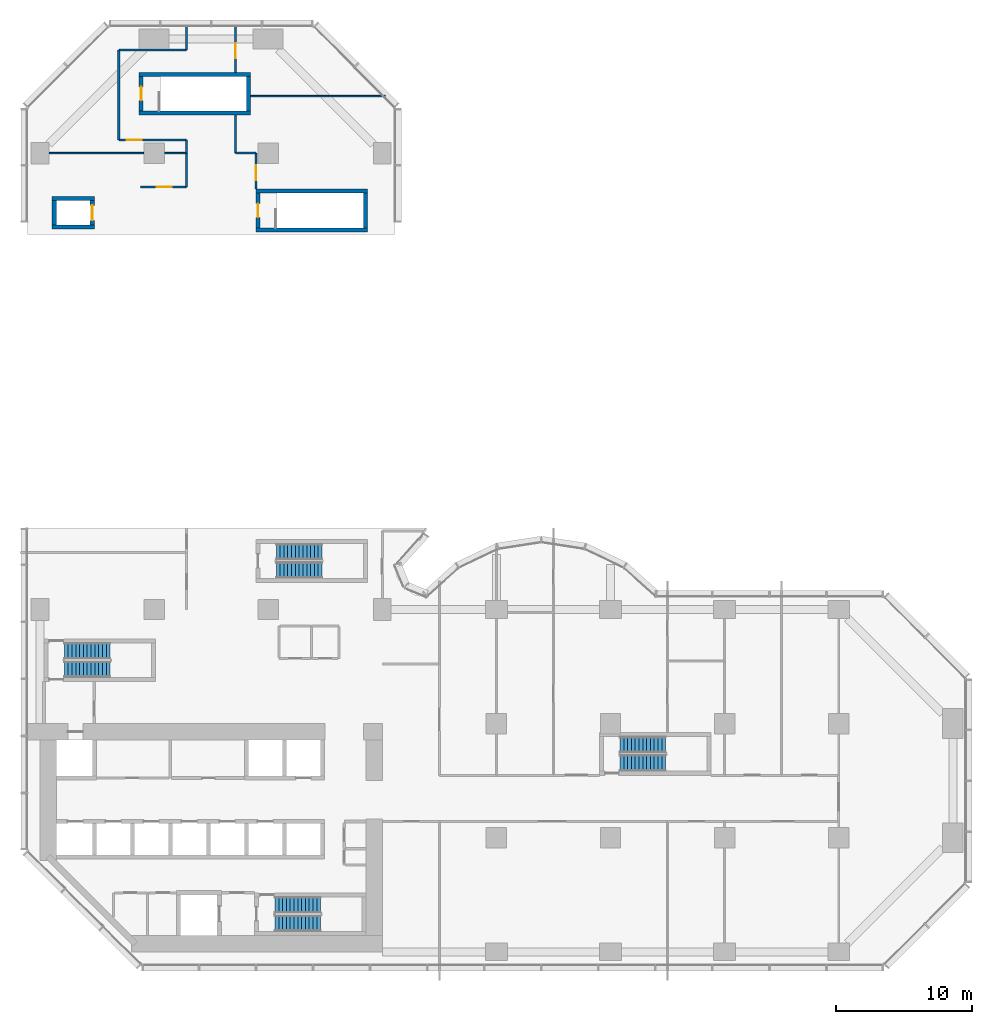
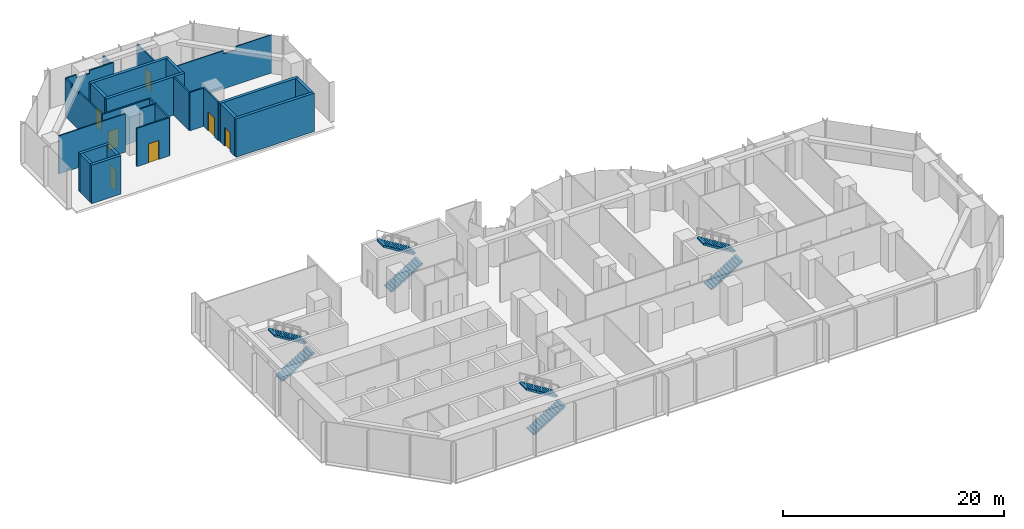
# One storey, part 10 of 13: 26 walls, 8 stair flights, 7 doors, 7 openings, 4 elements without a shape of their own.
"""IFC4 building model written with IfcOpenShell, lengths in metres."""

from ifc_helpers import new_model, si_unit, direction, frame, frame_2d, origin, place, context, subcontext, project, spatial, polyline, rectangle, outline, extrude, material, layer, layer_set, type_object, element, fill, aggregate, save


model = new_model("IFC4")

# Units and contexts
model_context = context("Model", 3, precision=1e-05, world=origin(), true_north=direction((0.0, 1.0)))
body_context = subcontext(model_context, "Body", "Model", "MODEL_VIEW")
ifc_project = project(units=[si_unit("LENGTHUNIT", "METRE"), si_unit("AREAUNIT", "SQUARE_METRE"), si_unit("VOLUMEUNIT", "CUBIC_METRE"), si_unit("PLANEANGLEUNIT", "RADIAN"), si_unit("MASSUNIT", "GRAM", prefix="KILO")], contexts=[model_context])

# Site, building, storey
site_placement = place(None, origin())
site = spatial("IfcSite", under=ifc_project, at=site_placement, CompositionType="ELEMENT")
building_placement = place(site_placement, origin())
building = spatial("IfcBuilding", under=site, at=building_placement, Name="Brevane Broadcast Tower", CompositionType="ELEMENT")
storey_placement = place(building_placement, frame((0.0, 0.0, 32.0)))
storey = spatial("IfcBuildingStorey", under=building, at=storey_placement, Name="L05", CompositionType="ELEMENT", Elevation=32.0)

# Walls
ifc_material_1 = material(Name="Concrete C80/95", Category="concrete")
ifc_layer_1 = layer(ifc_material_1, 0.300048828125)
ifc_layer_set_1 = layer_set([ifc_layer_1], Name="Core wall 300 mm C80/95")
wall_type_1 = type_object("IfcWallType", Name="Core wall 300 mm C80/95", PredefinedType="SHEAR", material=ifc_layer_set_1)
for number, where, z_axis, x_axis, name in (
    (1, (0.89990234375, 53.35009765625, 0.0), (0.0, 0.0, 1.0), (1.0, 0.0, 0.0), "L05 shaft wall PL1-S"),
    (2, (0.89990234375, 55.449951171875, 0.0), (0.0, 0.0, 1.0), (1.0, 0.0, 0.0), "L05 shaft wall PL1-N"),
):
    element("IfcWall", number, at=place(storey_placement, frame(where, z_axis=z_axis, x_axis=x_axis)), inside=storey, type_object=wall_type_1, Name=name, PredefinedType="SHEAR", context=body_context, shape_type="SweptSolid", body=[
        extrude(rectangle(XDim=3.10009765625, YDim=0.300048828125, at=frame_2d((1.550048828125, 0.0))), origin(), (0.0, 0.0, 1.0), 4.25),
    ])
wall_1_placement = place(storey_placement, frame((1.050048828125, 53.5, 0.0), z_axis=(0.0, 0.0, 1.0), x_axis=(0.0, 1.0, 0.0)))
element("IfcWall", 3, at=wall_1_placement, inside=storey, type_object=wall_type_1, Name="L05 shaft wall PL1-W", PredefinedType="SHEAR", context=body_context, shape_type="SweptSolid", body=[
    extrude(rectangle(XDim=1.800048828125, YDim=0.300048828125, at=frame_2d((0.89990234375, 0.0))), origin(), (0.0, 0.0, 1.0), 4.25),
])

# Wall, opening, door
wall_2_placement = place(storey_placement, frame((3.85009765625, 53.5, 0.0), z_axis=(0.0, 0.0, 1.0), x_axis=(0.0, 1.0, 0.0)))
wall_2 = element("IfcWall", 4, at=wall_2_placement, inside=storey, type_object=wall_type_1, Name="L05 shaft wall PL1-E", PredefinedType="SHEAR", context=body_context, shape_type="SweptSolid", body=[
    extrude(rectangle(XDim=1.800048828125, YDim=0.300048828125, at=frame_2d((0.89990234375, 0.0))), origin(), (0.0, 0.0, 1.0), 4.25),
])
opening_1_placement = place(wall_2_placement, frame((0.35009765625, 0.0, 0.0)))
opening_1 = element("IfcOpeningElement", 5, at=opening_1_placement, cuts=wall_2, Name="Opening LD", PredefinedType="OPENING", context=body_context, shape_type="SweptSolid", body=[
    extrude(rectangle(XDim=1.10009765625, YDim=2.300048828125, at=frame_2d((0.550048828125, 1.14990234375))), frame((0.0, 0.159912109375, 0.0), z_axis=(0.0, -1.0, 0.0), x_axis=(1.0, 0.0, 0.0)), (0.0, 0.0, 1.0), 0.320068359375),
])
ifc_material_2 = material(Name="Stainless steel", Category="steel")
door_type_1 = type_object("IfcDoorType", Name="Lift landing door", OperationType="SLIDING_TO_LEFT", PredefinedType="DOOR", material=ifc_material_2)
door_1_placement = place(opening_1_placement, origin())
door_1 = element("IfcDoor", 6, at=door_1_placement, inside=storey, type_object=door_type_1, Name="Landing door PL1 L05", OperationType="SLIDING_TO_LEFT", OverallHeight=2.300048828125, OverallWidth=1.10009765625, PredefinedType="DOOR", context=body_context, shape_type="SweptSolid", body=[
    extrude(rectangle(XDim=1.10009765625, YDim=2.300048828125, at=frame_2d((0.550048828125, 1.14990234375))), frame((0.0, 0.02490234375, 0.0), z_axis=(0.0, -1.0, 0.0), x_axis=(1.0, 0.0, 0.0)), (0.0, 0.0, 1.0), 0.050048828125),
])
fill(opening_1, door_1)

# Walls
for number, where, z_axis, x_axis, name in (
    (7, (15.89990234375, 53.14990234375, 0.0), (0.0, 0.0, 1.0), (1.0, 0.0, 0.0), "L05 stair wall ST-5-S"),
    (8, (15.89990234375, 56.0, 0.0), (0.0, 0.0, 1.0), (1.0, 0.0, 0.0), "L05 stair wall ST-5-N"),
):
    element("IfcWall", number, at=place(storey_placement, frame(where, z_axis=z_axis, x_axis=x_axis)), inside=storey, type_object=wall_type_1, Name=name, PredefinedType="SHEAR", context=body_context, shape_type="SweptSolid", body=[
        extrude(rectangle(XDim=8.2001953125, YDim=0.300048828125, at=frame_2d((4.10009765625, 0.0))), origin(), (0.0, 0.0, 1.0), 4.25),
    ])

# Wall, opening, door
wall_3_placement = place(storey_placement, frame((16.050048828125, 53.300048828125, 0.0), z_axis=(0.0, 0.0, 1.0), x_axis=(0.0, 1.0, 0.0)))
wall_3 = element("IfcWall", 9, at=wall_3_placement, inside=storey, type_object=wall_type_1, Name="L05 stair wall ST-5-W", PredefinedType="SHEAR", context=body_context, shape_type="SweptSolid", body=[
    extrude(rectangle(XDim=2.550048828125, YDim=0.300048828125, at=frame_2d((1.27490234375, 0.0))), origin(), (0.0, 0.0, 1.0), 4.25),
])
opening_2_placement = place(wall_3_placement, frame((0.77490234375, 0.0, 0.0)))
opening_2 = element("IfcOpeningElement", 10, at=opening_2_placement, cuts=wall_3, Name="Opening L05-K17", PredefinedType="OPENING", context=body_context, shape_type="SweptSolid", body=[
    extrude(rectangle(XDim=1.0, YDim=2.10009765625, at=frame_2d((0.5, 1.050048828125))), frame((0.0, 0.159912109375, 0.0), z_axis=(0.0, -1.0, 0.0), x_axis=(1.0, 0.0, 0.0)), (0.0, 0.0, 1.0), 0.320068359375),
])
ifc_material_3 = material(Name="Steel", Category="steel")
door_type_2 = type_object("IfcDoorType", Name="Stair door 1000 x 2100", OperationType="SINGLE_SWING_LEFT", PredefinedType="DOOR", material=ifc_material_3)
door_2_placement = place(opening_2_placement, origin())
door_2 = element("IfcDoor", 11, at=door_2_placement, inside=storey, type_object=door_type_2, Name="Door L05-K17", OperationType="SINGLE_SWING_RIGHT", OverallHeight=2.10009765625, OverallWidth=1.0, PredefinedType="DOOR", context=body_context, shape_type="SweptSolid", body=[
    extrude(rectangle(XDim=1.0, YDim=2.10009765625, at=frame_2d((0.5, 1.050048828125))), frame((0.0, 0.02490234375, 0.0), z_axis=(0.0, -1.0, 0.0), x_axis=(1.0, 0.0, 0.0)), (0.0, 0.0, 1.0), 0.050048828125),
])
fill(opening_2, door_2)

# Walls
wall_4_placement = place(storey_placement, frame((23.949951171875, 53.300048828125, 0.0), z_axis=(0.0, 0.0, 1.0), x_axis=(0.0, 1.0, 0.0)))
element("IfcWall", 12, at=wall_4_placement, inside=storey, type_object=wall_type_1, Name="L05 stair wall ST-5-E", PredefinedType="SHEAR", context=body_context, shape_type="SweptSolid", body=[
    extrude(rectangle(XDim=2.550048828125, YDim=0.300048828125, at=frame_2d((1.27490234375, 0.0))), origin(), (0.0, 0.0, 1.0), 4.25),
])
for number, where, z_axis, x_axis, name in (
    (13, (7.300048828125, 61.75, 0.0), (0.0, 0.0, 1.0), (1.0, 0.0, 0.0), "L05 stair wall ST-6-S"),
    (14, (7.300048828125, 64.60009765625, 0.0), (0.0, 0.0, 1.0), (1.0, 0.0, 0.0), "L05 stair wall ST-6-N"),
):
    element("IfcWall", number, at=place(storey_placement, frame(where, z_axis=z_axis, x_axis=x_axis)), inside=storey, type_object=wall_type_1, Name=name, PredefinedType="SHEAR", context=body_context, shape_type="SweptSolid", body=[
        extrude(rectangle(XDim=8.199951171875, YDim=0.300048828125, at=frame_2d((4.10009765625, 0.0))), origin(), (0.0, 0.0, 1.0), 4.25),
    ])

# Wall, opening, door
wall_5_placement = place(storey_placement, frame((7.449951171875, 61.89990234375, 0.0), z_axis=(0.0, 0.0, 1.0), x_axis=(0.0, 1.0, 0.0)))
wall_5 = element("IfcWall", 15, at=wall_5_placement, inside=storey, type_object=wall_type_1, Name="L05 stair wall ST-6-W", PredefinedType="SHEAR", context=body_context, shape_type="SweptSolid", body=[
    extrude(rectangle(XDim=2.550048828125, YDim=0.300048828125, at=frame_2d((1.27490234375, 0.0))), origin(), (0.0, 0.0, 1.0), 4.25),
])
opening_3_placement = place(wall_5_placement, frame((0.77490234375, 0.0, 0.0)))
opening_3 = element("IfcOpeningElement", 16, at=opening_3_placement, cuts=wall_5, Name="Opening L05-K18", PredefinedType="OPENING", context=body_context, shape_type="SweptSolid", body=[
    extrude(rectangle(XDim=1.0, YDim=2.10009765625, at=frame_2d((0.5, 1.050048828125))), frame((0.0, 0.159912109375, 0.0), z_axis=(0.0, -1.0, 0.0), x_axis=(1.0, 0.0, 0.0)), (0.0, 0.0, 1.0), 0.320068359375),
])
door_3_placement = place(opening_3_placement, origin())
door_3 = element("IfcDoor", 17, at=door_3_placement, inside=storey, type_object=door_type_2, Name="Door L05-K18", OperationType="SINGLE_SWING_LEFT", OverallHeight=2.10009765625, OverallWidth=1.0, PredefinedType="DOOR", context=body_context, shape_type="SweptSolid", body=[
    extrude(rectangle(XDim=1.0, YDim=2.10009765625, at=frame_2d((0.5, 1.050048828125))), frame((0.0, 0.02490234375, 0.0), z_axis=(0.0, -1.0, 0.0), x_axis=(1.0, 0.0, 0.0)), (0.0, 0.0, 1.0), 0.050048828125),
])
fill(opening_3, door_3)

# Walls
wall_6_placement = place(storey_placement, frame((15.35009765625, 61.89990234375, 0.0), z_axis=(0.0, 0.0, 1.0), x_axis=(0.0, 1.0, 0.0)))
element("IfcWall", 18, at=wall_6_placement, inside=storey, type_object=wall_type_1, Name="L05 stair wall ST-6-E", PredefinedType="SHEAR", context=body_context, shape_type="SweptSolid", body=[
    extrude(rectangle(XDim=2.550048828125, YDim=0.300048828125, at=frame_2d((1.27490234375, 0.0))), origin(), (0.0, 0.0, 1.0), 4.25),
])
ifc_material_4 = material(Name="Gypsum board partition")
ifc_layer_2 = layer(ifc_material_4, 0.10009765625)
ifc_layer_set_2 = layer_set([ifc_layer_2], Name="PARTITION 100 STUD")
wall_type_2 = type_object("IfcWallType", Name="PARTITION 100 STUD", PredefinedType="PARTITIONING", material=ifc_layer_set_2)
wall_7_placement = place(storey_placement, frame((0.669921875, 58.800048828125, 0.0), z_axis=(0.0, 0.0, 1.0), x_axis=(1.0, 0.0, 0.0)))
element("IfcWall", 19, at=wall_7_placement, inside=storey, type_object=wall_type_2, Name="Partition P5-051", PredefinedType="PARTITIONING", context=body_context, shape_type="SweptSolid", body=[
    extrude(rectangle(XDim=6.9599609375, YDim=0.10009765625, at=frame_2d((3.47998046875, 0.0))), origin(), (0.0, 0.0, 1.0), 4.22998046875),
])
wall_8_placement = place(storey_placement, frame((9.169921875, 58.800048828125, 0.0), z_axis=(0.0, 0.0, 1.0), x_axis=(1.0, 0.0, 0.0)))
element("IfcWall", 20, at=wall_8_placement, inside=storey, type_object=wall_type_2, Name="Partition P5-052", PredefinedType="PARTITIONING", context=body_context, shape_type="SweptSolid", body=[
    extrude(rectangle(XDim=1.630126953125, YDim=0.10009765625, at=frame_2d((0.81494140625, 0.0))), origin(), (0.0, 0.0, 1.0), 4.22998046875),
])
wall_9_placement = place(storey_placement, frame((15.5, 63.0, 0.0), z_axis=(0.0, 0.0, 1.0), x_axis=(1.0, 0.0, 0.0)))
element("IfcWall", 21, at=wall_9_placement, inside=storey, type_object=wall_type_2, Name="Partition P5-054", PredefinedType="PARTITIONING", context=body_context, shape_type="SweptSolid", body=[
    extrude(outline(polyline([(0.0, 0.0), (9.89990234375, 0.0), (9.89990234375, 4.22998046875), (6.165771484375, 4.22998046875), (6.16357421875, 3.8798828125), (4.83642578125, 3.8798828125), (4.834228515625, 4.22998046875), (0.0, 4.22998046875), (0.0, 0.0)])), frame((0.0, 0.050048828125, 0.0), z_axis=(0.0, -1.0, 0.0), x_axis=(1.0, 0.0, 0.0)), (0.0, 0.0, 1.0), 0.10009765625),
])
ifc_layer_3 = layer(ifc_material_4, 0.14990234375)
ifc_layer_set_3 = layer_set([ifc_layer_3], Name="PARTITION 150 EI 60")
wall_type_3 = type_object("IfcWallType", Name="PARTITION 150 EI 60", PredefinedType="PARTITIONING", material=ifc_layer_set_3)
wall_10_placement = place(storey_placement, frame((10.800048828125, 56.300048828125, 0.0), z_axis=(0.0, 0.0, 1.0), x_axis=(0.0, 1.0, 0.0)))
element("IfcWall", 22, at=wall_10_placement, inside=storey, type_object=wall_type_3, Name="Partition P5-041", PredefinedType="PARTITIONING", context=body_context, shape_type="SweptSolid", body=[
    extrude(rectangle(XDim=2.5, YDim=0.14990234375, at=frame_2d((1.25, 0.0))), origin(), (0.0, 0.0, 1.0), 4.22998046875),
])
wall_11_placement = place(storey_placement, frame((14.39990234375, 58.800048828125, 0.0), z_axis=(0.0, 0.0, 1.0), x_axis=(1.0, 0.0, 0.0)))
element("IfcWall", 23, at=wall_11_placement, inside=storey, type_object=wall_type_3, Name="Partition P5-042", PredefinedType="PARTITIONING", context=body_context, shape_type="SweptSolid", body=[
    extrude(rectangle(XDim=1.5, YDim=0.14990234375, at=frame_2d((0.75, 0.0))), origin(), (0.0, 0.0, 1.0), 4.22998046875),
])

# Wall, opening, door
wall_12_placement = place(storey_placement, frame((15.89990234375, 58.800048828125, 0.0), z_axis=(0.0, 0.0, 1.0), x_axis=(0.0, -1.0, 0.0)))
wall_12 = element("IfcWall", 24, at=wall_12_placement, inside=storey, type_object=wall_type_3, Name="Partition P5-043", PredefinedType="PARTITIONING", context=body_context, shape_type="SweptSolid", body=[
    extrude(rectangle(XDim=2.650146484375, YDim=0.14990234375, at=frame_2d((1.3251953125, 0.0))), origin(), (0.0, 0.0, 1.0), 4.22998046875),
])
opening_4_placement = place(wall_12_placement, frame((0.89990234375, 0.0, 0.0)))
opening_4 = element("IfcOpeningElement", 25, at=opening_4_placement, cuts=wall_12, Name="Opening D06-019", PredefinedType="OPENING", context=body_context, shape_type="SweptSolid", body=[
    extrude(rectangle(XDim=1.10009765625, YDim=2.10009765625, at=frame_2d((0.550048828125, 1.050048828125))), frame((0.0, 0.0849609375, 0.0), z_axis=(0.0, -1.0, 0.0), x_axis=(1.0, 0.0, 0.0)), (0.0, 0.0, 1.0), 0.169921875),
])
ifc_material_5 = material(Name="Fire-rated timber door leaf", Category="wood")
door_type_3 = type_object("IfcDoorType", Name="DOOR SINGLE 1100 FD30S", OperationType="SINGLE_SWING_LEFT", PredefinedType="DOOR", material=ifc_material_5)
door_4_placement = place(opening_4_placement, origin())
door_4 = element("IfcDoor", 26, at=door_4_placement, inside=storey, type_object=door_type_3, Name="Door D06-019", OperationType="SINGLE_SWING_LEFT", OverallHeight=2.10009765625, OverallWidth=1.10009765625, PredefinedType="DOOR", context=body_context, shape_type="SweptSolid", body=[
    extrude(rectangle(XDim=1.10009765625, YDim=2.10009765625, at=frame_2d((0.550048828125, 1.050048828125))), frame((0.0, 0.02490234375, 0.0), z_axis=(0.0, -1.0, 0.0), x_axis=(1.0, 0.0, 0.0)), (0.0, 0.0, 1.0), 0.050048828125),
])
fill(opening_4, door_4)

wall_13_placement = place(storey_placement, frame((10.800048828125, 59.77490234375, 0.0), z_axis=(0.0, 0.0, 1.0), x_axis=(-1.0, 0.0, 0.0)))
wall_13 = element("IfcWall", 27, at=wall_13_placement, inside=storey, type_object=wall_type_3, Name="Partition P5-044", PredefinedType="PARTITIONING", context=body_context, shape_type="SweptSolid", body=[
    extrude(rectangle(XDim=5.0, YDim=0.14990234375, at=frame_2d((2.5, 0.0))), origin(), (0.0, 0.0, 1.0), 4.22998046875),
])
opening_5_placement = place(wall_13_placement, frame((3.300048828125, 0.0, 0.0)))
opening_5 = element("IfcOpeningElement", 28, at=opening_5_placement, cuts=wall_13, Name="Opening D06-018", PredefinedType="OPENING", context=body_context, shape_type="SweptSolid", body=[
    extrude(rectangle(XDim=1.10009765625, YDim=2.10009765625, at=frame_2d((0.550048828125, 1.050048828125))), frame((0.0, 0.0849609375, 0.0), z_axis=(0.0, -1.0, 0.0), x_axis=(1.0, 0.0, 0.0)), (0.0, 0.0, 1.0), 0.169921875),
])
door_5_placement = place(opening_5_placement, origin())
door_5 = element("IfcDoor", 29, at=door_5_placement, inside=storey, type_object=door_type_3, Name="Door D06-018", OperationType="SINGLE_SWING_LEFT", OverallHeight=2.10009765625, OverallWidth=1.10009765625, PredefinedType="DOOR", context=body_context, shape_type="SweptSolid", body=[
    extrude(rectangle(XDim=1.10009765625, YDim=2.10009765625, at=frame_2d((0.550048828125, 1.050048828125))), frame((0.0, 0.02490234375, 0.0), z_axis=(0.0, -1.0, 0.0), x_axis=(1.0, 0.0, 0.0)), (0.0, 0.0, 1.0), 0.050048828125),
])
fill(opening_5, door_5)

# Walls
wall_14_placement = place(storey_placement, frame((5.800048828125, 59.77490234375, 0.0), z_axis=(0.0, 0.0, 1.0), x_axis=(0.0, 1.0, 0.0)))
element("IfcWall", 30, at=wall_14_placement, inside=storey, type_object=wall_type_3, Name="Partition P5-045", PredefinedType="PARTITIONING", context=body_context, shape_type="SweptSolid", body=[
    extrude(outline(polyline([(0.0, 0.0), (6.60009765625, 0.0), (6.60009765625, 4.22998046875), (5.515625, 4.22998046875), (5.513671875, 3.8798828125), (4.13623046875, 3.8798828125), (4.13427734375, 4.22998046875), (0.0, 4.22998046875), (0.0, 0.0)])), frame((0.0, 0.074951171875, 0.0), z_axis=(0.0, -1.0, 0.0), x_axis=(1.0, 0.0, 0.0)), (0.0, 0.0, 1.0), 0.14990234375),
])
wall_15_placement = place(storey_placement, frame((5.800048828125, 66.375, 0.0), z_axis=(0.0, 0.0, 1.0), x_axis=(1.0, 0.0, 0.0)))
element("IfcWall", 31, at=wall_15_placement, inside=storey, type_object=wall_type_3, Name="Partition P5-046", PredefinedType="PARTITIONING", context=body_context, shape_type="SweptSolid", body=[
    extrude(outline(polyline([(0.0, 0.0), (5.0, 0.0), (5.0, 4.22998046875), (2.465576171875, 4.22998046875), (2.463623046875, 3.8798828125), (1.08642578125, 3.8798828125), (1.084228515625, 4.22998046875), (0.0, 4.22998046875), (0.0, 0.0)])), frame((0.0, 0.074951171875, 0.0), z_axis=(0.0, -1.0, 0.0), x_axis=(1.0, 0.0, 0.0)), (0.0, 0.0, 1.0), 0.14990234375),
])

# Wall, opening, door
wall_16_placement = place(storey_placement, frame((7.39990234375, 56.300048828125, 0.0), z_axis=(0.0, 0.0, 1.0), x_axis=(1.0, 0.0, 0.0)))
wall_16 = element("IfcWall", 32, at=wall_16_placement, inside=storey, type_object=wall_type_3, Name="Partition P5-047", PredefinedType="PARTITIONING", context=body_context, shape_type="SweptSolid", body=[
    extrude(rectangle(XDim=3.400146484375, YDim=0.14990234375, at=frame_2d((1.7001953125, 0.0))), origin(), (0.0, 0.0, 1.0), 4.22998046875),
])
opening_6_placement = place(wall_16_placement, frame((1.199951171875, 0.0, 0.0)))
opening_6 = element("IfcOpeningElement", 33, at=opening_6_placement, cuts=wall_16, Name="Opening D06-017", PredefinedType="OPENING", context=body_context, shape_type="SweptSolid", body=[
    extrude(rectangle(XDim=1.10009765625, YDim=2.10009765625, at=frame_2d((0.550048828125, 1.050048828125))), frame((0.0, 0.0849609375, 0.0), z_axis=(0.0, -1.0, 0.0), x_axis=(1.0, 0.0, 0.0)), (0.0, 0.0, 1.0), 0.169921875),
])
door_6_placement = place(opening_6_placement, origin())
door_6 = element("IfcDoor", 34, at=door_6_placement, inside=storey, type_object=door_type_3, Name="Door D06-017", OperationType="SINGLE_SWING_LEFT", OverallHeight=2.10009765625, OverallWidth=1.10009765625, PredefinedType="DOOR", context=body_context, shape_type="SweptSolid", body=[
    extrude(rectangle(XDim=1.10009765625, YDim=2.10009765625, at=frame_2d((0.550048828125, 1.050048828125))), frame((0.0, 0.02490234375, 0.0), z_axis=(0.0, -1.0, 0.0), x_axis=(1.0, 0.0, 0.0)), (0.0, 0.0, 1.0), 0.050048828125),
])
fill(opening_6, door_6)

# Wall
wall_17_placement = place(storey_placement, frame((10.800048828125, 66.375, 0.0), z_axis=(0.0, 0.0, 1.0), x_axis=(0.0, 1.0, 0.0)))
element("IfcWall", 35, at=wall_17_placement, inside=storey, type_object=wall_type_3, Name="Partition P5-048", PredefinedType="PARTITIONING", context=body_context, shape_type="SweptSolid", body=[
    extrude(rectangle(XDim=1.905029296875, YDim=0.14990234375, at=frame_2d((0.95263671875, 0.0))), origin(), (0.0, 0.0, 1.0), 3.8798828125),
])

# Wall, opening, door
wall_18_placement = place(storey_placement, frame((14.39990234375, 68.280029296875, 0.0), z_axis=(0.0, 0.0, 1.0), x_axis=(0.0, -1.0, 0.0)))
wall_18 = element("IfcWall", 36, at=wall_18_placement, inside=storey, type_object=wall_type_3, Name="Partition P5-049", PredefinedType="PARTITIONING", context=body_context, shape_type="SweptSolid", body=[
    extrude(rectangle(XDim=3.530029296875, YDim=0.14990234375, at=frame_2d((1.76513671875, 0.0))), origin(), (0.0, 0.0, 1.0), 3.8798828125),
])
opening_7_placement = place(wall_18_placement, frame((1.39990234375, 0.0, 0.0)))
opening_7 = element("IfcOpeningElement", 37, at=opening_7_placement, cuts=wall_18, Name="Opening D06-020", PredefinedType="OPENING", context=body_context, shape_type="SweptSolid", body=[
    extrude(rectangle(XDim=1.10009765625, YDim=2.10009765625, at=frame_2d((0.550048828125, 1.050048828125))), frame((0.0, 0.0849609375, 0.0), z_axis=(0.0, -1.0, 0.0), x_axis=(1.0, 0.0, 0.0)), (0.0, 0.0, 1.0), 0.169921875),
])
door_7_placement = place(opening_7_placement, origin())
door_7 = element("IfcDoor", 38, at=door_7_placement, inside=storey, type_object=door_type_3, Name="Door D06-020", OperationType="SINGLE_SWING_LEFT", OverallHeight=2.10009765625, OverallWidth=1.10009765625, PredefinedType="DOOR", context=body_context, shape_type="SweptSolid", body=[
    extrude(rectangle(XDim=1.10009765625, YDim=2.10009765625, at=frame_2d((0.550048828125, 1.050048828125))), frame((0.0, 0.02490234375, 0.0), z_axis=(0.0, -1.0, 0.0), x_axis=(1.0, 0.0, 0.0)), (0.0, 0.0, 1.0), 0.050048828125),
])
fill(opening_7, door_7)

# Walls
wall_19_placement = place(storey_placement, frame((10.800048828125, 59.77490234375, 0.0), z_axis=(0.0, 0.0, 1.0), x_axis=(0.0, -1.0, 0.0)))
element("IfcWall", 39, at=wall_19_placement, inside=storey, type_object=wall_type_3, Name="Partition P5-053", PredefinedType="PARTITIONING", context=body_context, shape_type="SweptSolid", body=[
    extrude(rectangle(XDim=0.974853515625, YDim=0.14990234375, at=frame_2d((0.4873046875, 0.0))), origin(), (0.0, 0.0, 1.0), 4.22998046875),
])
wall_20_placement = place(storey_placement, frame((14.39990234375, 58.800048828125, 0.0), z_axis=(0.0, 0.0, 1.0), x_axis=(0.0, 1.0, 0.0)))
element("IfcWall", 40, at=wall_20_placement, inside=storey, type_object=wall_type_3, Name="Partition P5-055", PredefinedType="PARTITIONING", context=body_context, shape_type="SweptSolid", body=[
    extrude(rectangle(XDim=2.800048828125, YDim=0.14990234375, at=frame_2d((1.39990234375, 0.0))), origin(), (0.0, 0.0, 1.0), 4.22998046875),
])

# Stair, stair flights
ifc_material_6 = material(Name="Concrete C50/60", Category="concrete")
stair_type = type_object("IfcStairType", Name="Exit stair 26 risers", PredefinedType="HALF_TURN_STAIR", material=ifc_material_6)
stair_1_placement = place(storey_placement, origin())
stair_1 = element("IfcStair", 41, at=stair_1_placement, inside=storey, type_object=stair_type, Name="L05 Exit stair ST-1", PredefinedType="HALF_TURN_STAIR")
stair_flight_type = type_object("IfcStairFlightType", Name="Exit stair flight 26 risers", PredefinedType="STRAIGHT", material=ifc_material_6)
stair_flight_1_placement = place(storey_placement, frame((1.800048828125, 20.800048828125, 0.0), z_axis=(0.0, 0.0, 1.0), x_axis=(1.0, 0.0, 0.0)))
stair_flight_1 = element("IfcStairFlight", 42, at=stair_flight_1_placement, type_object=stair_flight_type, Name="ST-1 flight 1", NumberOfRisers=13, NumberOfTreads=12, PredefinedType="STRAIGHT", RiserHeight=0.173076923, TreadLength=0.28, context=body_context, shape_type="SweptSolid", body=[
    extrude(outline(polyline([(0.0, 0.0), (0.0, 0.173095703125), (0.280029296875, 0.173095703125), (0.280029296875, 0.34619140625), (0.56005859375, 0.34619140625), (0.56005859375, 0.519287109375), (0.840087890625, 0.519287109375), (0.840087890625, 0.6923828125), (1.1201171875, 0.6923828125), (1.1201171875, 0.865478515625), (1.39990234375, 0.865478515625), (1.39990234375, 1.03857421875), (1.679931640625, 1.03857421875), (1.679931640625, 1.21142578125), (1.9599609375, 1.21142578125), (1.9599609375, 1.384521484375), (2.239990234375, 1.384521484375), (2.239990234375, 1.5576171875), (2.52001953125, 1.5576171875), (2.52001953125, 1.730712890625), (2.800048828125, 1.730712890625), (2.800048828125, 1.90380859375), (3.080078125, 1.90380859375), (3.080078125, 2.076904296875), (3.360107421875, 2.076904296875), (3.360107421875, 2.25), (3.360107421875, 1.900634765625), (0.28515625, 0.0), (0.0, 0.0)])), frame((0.0, 0.60009765625, 0.0), z_axis=(0.0, -1.0, 0.0), x_axis=(1.0, 0.0, 0.0)), (0.0, 0.0, 1.0), 1.199951171875),
])
stair_flight_2_placement = place(storey_placement, frame((5.159912109375, 22.14990234375, 2.25), z_axis=(0.0, 0.0, 1.0), x_axis=(-1.0, 0.0, 0.0)))
stair_flight_2 = element("IfcStairFlight", 43, at=stair_flight_2_placement, type_object=stair_flight_type, Name="ST-1 flight 2", NumberOfRisers=13, NumberOfTreads=12, PredefinedType="STRAIGHT", RiserHeight=0.173076923, TreadLength=0.28, context=body_context, shape_type="SweptSolid", body=[
    extrude(outline(polyline([(0.0, 0.0), (0.0, 0.173095703125), (0.280029296875, 0.173095703125), (0.280029296875, 0.34619140625), (0.56005859375, 0.34619140625), (0.56005859375, 0.519287109375), (0.840087890625, 0.519287109375), (0.840087890625, 0.6923828125), (1.1201171875, 0.6923828125), (1.1201171875, 0.865478515625), (1.39990234375, 0.865478515625), (1.39990234375, 1.03857421875), (1.679931640625, 1.03857421875), (1.679931640625, 1.21142578125), (1.9599609375, 1.21142578125), (1.9599609375, 1.384521484375), (2.239990234375, 1.384521484375), (2.239990234375, 1.5576171875), (2.52001953125, 1.5576171875), (2.52001953125, 1.730712890625), (2.800048828125, 1.730712890625), (2.800048828125, 1.90380859375), (3.080078125, 1.90380859375), (3.080078125, 2.076904296875), (3.360107421875, 2.076904296875), (3.360107421875, 2.25), (3.360107421875, 1.900634765625), (0.28515625, 0.0), (0.0, 0.0)])), frame((0.0, 0.60009765625, 0.0), z_axis=(0.0, -1.0, 0.0), x_axis=(1.0, 0.0, 0.0)), (0.0, 0.0, 1.0), 1.199951171875),
])
aggregate(stair_1, [stair_flight_1, stair_flight_2])

stair_2_placement = place(storey_placement, origin())
stair_2 = element("IfcStair", 44, at=stair_2_placement, inside=storey, type_object=stair_type, Name="L05 Exit stair ST-2", PredefinedType="HALF_TURN_STAIR")
stair_flight_3_placement = place(storey_placement, frame((17.300048828125, 2.10009765625, 0.0), z_axis=(0.0, 0.0, 1.0), x_axis=(1.0, 0.0, 0.0)))
stair_flight_3 = element("IfcStairFlight", 45, at=stair_flight_3_placement, type_object=stair_flight_type, Name="ST-2 flight 1", NumberOfRisers=13, NumberOfTreads=12, PredefinedType="STRAIGHT", RiserHeight=0.173076923, TreadLength=0.28, context=body_context, shape_type="SweptSolid", body=[
    extrude(outline(polyline([(0.0, 0.0), (0.0, 0.173095703125), (0.280029296875, 0.173095703125), (0.280029296875, 0.34619140625), (0.56005859375, 0.34619140625), (0.56005859375, 0.519287109375), (0.840087890625, 0.519287109375), (0.840087890625, 0.6923828125), (1.1201171875, 0.6923828125), (1.1201171875, 0.865478515625), (1.39990234375, 0.865478515625), (1.39990234375, 1.03857421875), (1.679931640625, 1.03857421875), (1.679931640625, 1.21142578125), (1.9599609375, 1.21142578125), (1.9599609375, 1.384521484375), (2.239990234375, 1.384521484375), (2.239990234375, 1.5576171875), (2.52001953125, 1.5576171875), (2.52001953125, 1.730712890625), (2.800048828125, 1.730712890625), (2.800048828125, 1.90380859375), (3.080078125, 1.90380859375), (3.080078125, 2.076904296875), (3.360107421875, 2.076904296875), (3.360107421875, 2.25), (3.360107421875, 1.900634765625), (0.28515625, 0.0), (0.0, 0.0)])), frame((0.0, 0.60009765625, 0.0), z_axis=(0.0, -1.0, 0.0), x_axis=(1.0, 0.0, 0.0)), (0.0, 0.0, 1.0), 1.199951171875),
])
stair_flight_4_placement = place(storey_placement, frame((20.659912109375, 3.449951171875, 2.25), z_axis=(0.0, 0.0, 1.0), x_axis=(-1.0, 0.0, 0.0)))
stair_flight_4 = element("IfcStairFlight", 46, at=stair_flight_4_placement, type_object=stair_flight_type, Name="ST-2 flight 2", NumberOfRisers=13, NumberOfTreads=12, PredefinedType="STRAIGHT", RiserHeight=0.173076923, TreadLength=0.28, context=body_context, shape_type="SweptSolid", body=[
    extrude(outline(polyline([(0.0, 0.0), (0.0, 0.173095703125), (0.280029296875, 0.173095703125), (0.280029296875, 0.34619140625), (0.56005859375, 0.34619140625), (0.56005859375, 0.519287109375), (0.840087890625, 0.519287109375), (0.840087890625, 0.6923828125), (1.1201171875, 0.6923828125), (1.1201171875, 0.865478515625), (1.39990234375, 0.865478515625), (1.39990234375, 1.03857421875), (1.679931640625, 1.03857421875), (1.679931640625, 1.21142578125), (1.9599609375, 1.21142578125), (1.9599609375, 1.384521484375), (2.239990234375, 1.384521484375), (2.239990234375, 1.5576171875), (2.52001953125, 1.5576171875), (2.52001953125, 1.730712890625), (2.800048828125, 1.730712890625), (2.800048828125, 1.90380859375), (3.080078125, 1.90380859375), (3.080078125, 2.076904296875), (3.360107421875, 2.076904296875), (3.360107421875, 2.25), (3.360107421875, 1.900634765625), (0.28515625, 0.0), (0.0, 0.0)])), frame((0.0, 0.60009765625, 0.0), z_axis=(0.0, -1.0, 0.0), x_axis=(1.0, 0.0, 0.0)), (0.0, 0.0, 1.0), 1.199951171875),
])
aggregate(stair_2, [stair_flight_3, stair_flight_4])

stair_3_placement = place(storey_placement, origin())
stair_3 = element("IfcStair", 47, at=stair_3_placement, inside=storey, type_object=stair_type, Name="L05 Exit stair ST-3", PredefinedType="HALF_TURN_STAIR")
stair_flight_5_placement = place(storey_placement, frame((17.39990234375, 28.10009765625, 0.0), z_axis=(0.0, 0.0, 1.0), x_axis=(1.0, 0.0, 0.0)))
stair_flight_5 = element("IfcStairFlight", 48, at=stair_flight_5_placement, type_object=stair_flight_type, Name="ST-3 flight 1", NumberOfRisers=13, NumberOfTreads=12, PredefinedType="STRAIGHT", RiserHeight=0.173076923, TreadLength=0.28, context=body_context, shape_type="SweptSolid", body=[
    extrude(outline(polyline([(0.0, 0.0), (0.0, 0.173095703125), (0.280029296875, 0.173095703125), (0.280029296875, 0.34619140625), (0.56005859375, 0.34619140625), (0.56005859375, 0.519287109375), (0.840087890625, 0.519287109375), (0.840087890625, 0.6923828125), (1.1201171875, 0.6923828125), (1.1201171875, 0.865478515625), (1.39990234375, 0.865478515625), (1.39990234375, 1.03857421875), (1.679931640625, 1.03857421875), (1.679931640625, 1.21142578125), (1.9599609375, 1.21142578125), (1.9599609375, 1.384521484375), (2.239990234375, 1.384521484375), (2.239990234375, 1.5576171875), (2.52001953125, 1.5576171875), (2.52001953125, 1.730712890625), (2.800048828125, 1.730712890625), (2.800048828125, 1.90380859375), (3.080078125, 1.90380859375), (3.080078125, 2.076904296875), (3.360107421875, 2.076904296875), (3.360107421875, 2.25), (3.360107421875, 1.900634765625), (0.28515625, 0.0), (0.0, 0.0)])), frame((0.0, 0.60009765625, 0.0), z_axis=(0.0, -1.0, 0.0), x_axis=(1.0, 0.0, 0.0)), (0.0, 0.0, 1.0), 1.199951171875),
])
stair_flight_6_placement = place(storey_placement, frame((20.760009765625, 29.449951171875, 2.25), z_axis=(0.0, 0.0, 1.0), x_axis=(-1.0, 0.0, 0.0)))
stair_flight_6 = element("IfcStairFlight", 49, at=stair_flight_6_placement, type_object=stair_flight_type, Name="ST-3 flight 2", NumberOfRisers=13, NumberOfTreads=12, PredefinedType="STRAIGHT", RiserHeight=0.173076923, TreadLength=0.28, context=body_context, shape_type="SweptSolid", body=[
    extrude(outline(polyline([(0.0, 0.0), (0.0, 0.173095703125), (0.280029296875, 0.173095703125), (0.280029296875, 0.34619140625), (0.56005859375, 0.34619140625), (0.56005859375, 0.519287109375), (0.840087890625, 0.519287109375), (0.840087890625, 0.6923828125), (1.1201171875, 0.6923828125), (1.1201171875, 0.865478515625), (1.39990234375, 0.865478515625), (1.39990234375, 1.03857421875), (1.679931640625, 1.03857421875), (1.679931640625, 1.21142578125), (1.9599609375, 1.21142578125), (1.9599609375, 1.384521484375), (2.239990234375, 1.384521484375), (2.239990234375, 1.5576171875), (2.52001953125, 1.5576171875), (2.52001953125, 1.730712890625), (2.800048828125, 1.730712890625), (2.800048828125, 1.90380859375), (3.080078125, 1.90380859375), (3.080078125, 2.076904296875), (3.360107421875, 2.076904296875), (3.360107421875, 2.25), (3.360107421875, 1.900634765625), (0.28515625, 0.0), (0.0, 0.0)])), frame((0.0, 0.60009765625, 0.0), z_axis=(0.0, -1.0, 0.0), x_axis=(1.0, 0.0, 0.0)), (0.0, 0.0, 1.0), 1.199951171875),
])
aggregate(stair_3, [stair_flight_5, stair_flight_6])

stair_4_placement = place(storey_placement, origin())
stair_4 = element("IfcStair", 50, at=stair_4_placement, inside=storey, type_object=stair_type, Name="L05 Exit stair ST-4", PredefinedType="HALF_TURN_STAIR")
stair_flight_7_placement = place(storey_placement, frame((42.699951171875, 13.89990234375, 0.0), z_axis=(0.0, 0.0, 1.0), x_axis=(1.0, 0.0, 0.0)))
stair_flight_7 = element("IfcStairFlight", 51, at=stair_flight_7_placement, type_object=stair_flight_type, Name="ST-4 flight 1", NumberOfRisers=13, NumberOfTreads=12, PredefinedType="STRAIGHT", RiserHeight=0.173076923, TreadLength=0.28, context=body_context, shape_type="SweptSolid", body=[
    extrude(outline(polyline([(0.0, 0.0), (0.0, 0.173095703125), (0.280029296875, 0.173095703125), (0.280029296875, 0.34619140625), (0.56005859375, 0.34619140625), (0.56005859375, 0.519287109375), (0.840087890625, 0.519287109375), (0.840087890625, 0.6923828125), (1.1201171875, 0.6923828125), (1.1201171875, 0.865478515625), (1.39990234375, 0.865478515625), (1.39990234375, 1.03857421875), (1.679931640625, 1.03857421875), (1.679931640625, 1.21142578125), (1.9599609375, 1.21142578125), (1.9599609375, 1.384521484375), (2.239990234375, 1.384521484375), (2.239990234375, 1.5576171875), (2.52001953125, 1.5576171875), (2.52001953125, 1.730712890625), (2.800048828125, 1.730712890625), (2.800048828125, 1.90380859375), (3.080078125, 1.90380859375), (3.080078125, 2.076904296875), (3.360107421875, 2.076904296875), (3.360107421875, 2.25), (3.360107421875, 1.900634765625), (0.28515625, 0.0), (0.0, 0.0)])), frame((0.0, 0.60009765625, 0.0), z_axis=(0.0, -1.0, 0.0), x_axis=(1.0, 0.0, 0.0)), (0.0, 0.0, 1.0), 1.199951171875),
])
stair_flight_8_placement = place(storey_placement, frame((46.06005859375, 15.25, 2.25), z_axis=(0.0, 0.0, 1.0), x_axis=(-1.0, 0.0, 0.0)))
stair_flight_8 = element("IfcStairFlight", 52, at=stair_flight_8_placement, type_object=stair_flight_type, Name="ST-4 flight 2", NumberOfRisers=13, NumberOfTreads=12, PredefinedType="STRAIGHT", RiserHeight=0.173076923, TreadLength=0.28, context=body_context, shape_type="SweptSolid", body=[
    extrude(outline(polyline([(0.0, 0.0), (0.0, 0.173095703125), (0.280029296875, 0.173095703125), (0.280029296875, 0.34619140625), (0.56005859375, 0.34619140625), (0.56005859375, 0.519287109375), (0.840087890625, 0.519287109375), (0.840087890625, 0.6923828125), (1.1201171875, 0.6923828125), (1.1201171875, 0.865478515625), (1.39990234375, 0.865478515625), (1.39990234375, 1.03857421875), (1.679931640625, 1.03857421875), (1.679931640625, 1.21142578125), (1.9599609375, 1.21142578125), (1.9599609375, 1.384521484375), (2.239990234375, 1.384521484375), (2.239990234375, 1.5576171875), (2.52001953125, 1.5576171875), (2.52001953125, 1.730712890625), (2.800048828125, 1.730712890625), (2.800048828125, 1.90380859375), (3.080078125, 1.90380859375), (3.080078125, 2.076904296875), (3.360107421875, 2.076904296875), (3.360107421875, 2.25), (3.360107421875, 1.900634765625), (0.28515625, 0.0), (0.0, 0.0)])), frame((0.0, 0.60009765625, 0.0), z_axis=(0.0, -1.0, 0.0), x_axis=(1.0, 0.0, 0.0)), (0.0, 0.0, 1.0), 1.199951171875),
])
aggregate(stair_4, [stair_flight_7, stair_flight_8])

save(model, "model.ifc")
